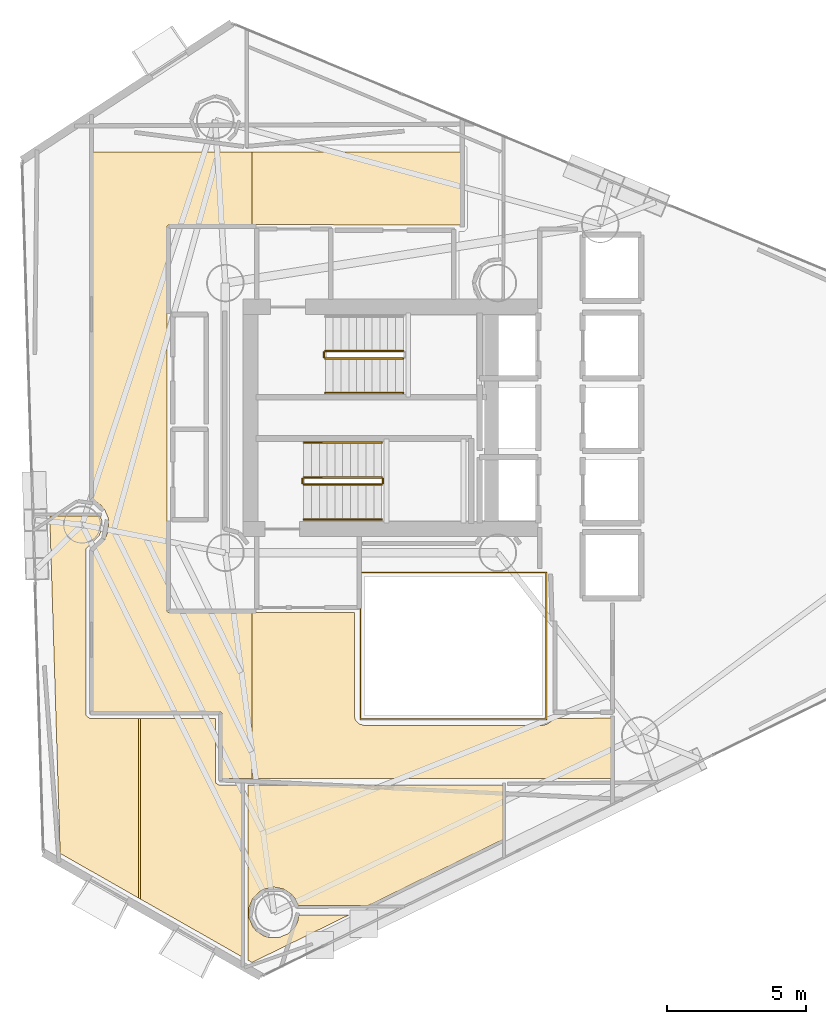
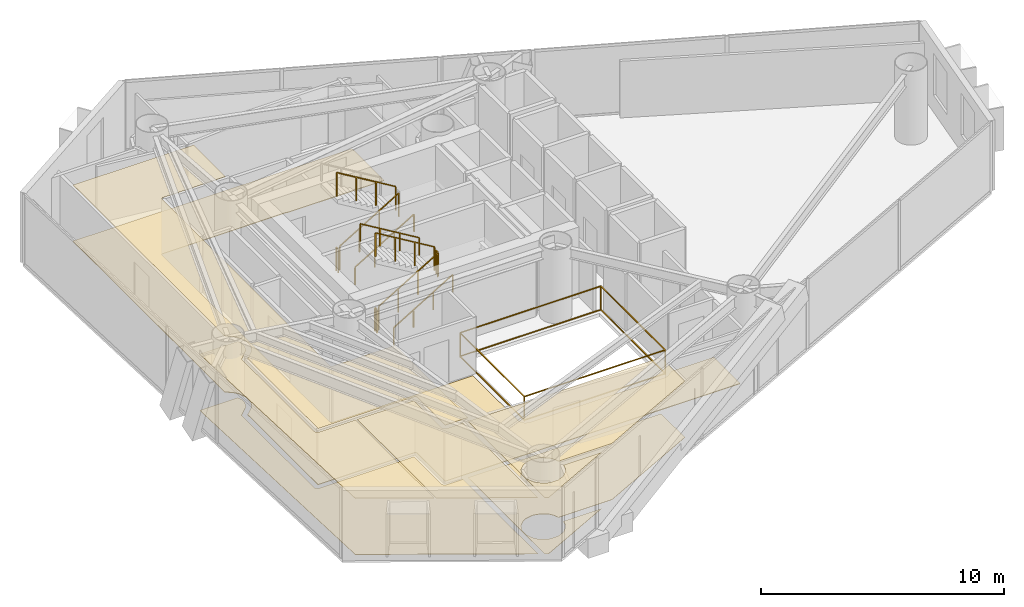
# One storey, part 21 of 22: 11 railings, 7 coverings.
"""IFC4 building model written with IfcOpenShell, lengths in metres."""

from ifc_helpers import new_model, si_unit, direction, frame, origin, origin_2d, place, context, subcontext, project, spatial, polyline, rectangle, outline, extrude, material, layer, layer_set, type_object, element, save


model = new_model("IFC4")

# Units and contexts
model_context = context("Model", 3, precision=1e-05, world=origin(), true_north=direction((0.0, 1.0)))
body_context = subcontext(model_context, "Body", "Model", "MODEL_VIEW")
ifc_project = project(units=[si_unit("LENGTHUNIT", "METRE"), si_unit("AREAUNIT", "SQUARE_METRE"), si_unit("VOLUMEUNIT", "CUBIC_METRE"), si_unit("PLANEANGLEUNIT", "RADIAN"), si_unit("MASSUNIT", "GRAM", prefix="KILO")], contexts=[model_context])

# Site, building, storey
site_placement = place(None, origin())
site = spatial("IfcSite", under=ifc_project, at=site_placement, CompositionType="ELEMENT")
building_placement = place(site_placement, origin())
building = spatial("IfcBuilding", under=site, at=building_placement, Name="Qianvela Tower", CompositionType="ELEMENT")
storey_placement = place(building_placement, frame((0.0, 0.0, 155.0)))
storey = spatial("IfcBuildingStorey", under=building, at=storey_placement, Name="L39", CompositionType="ELEMENT", Elevation=155.0)

# Coverings
ifc_material_1 = material(Name="Perforated Mineral Acoustic Ceiling Tile")
ifc_layer_1 = layer(ifc_material_1, 0.02490234375)
ifc_layer_set_1 = layer_set([ifc_layer_1], Name="Perforated Mineral Acoustic Ceiling Tile")
covering_type_1 = type_object("IfcCoveringType", Name="COV-CEIL-ACOUSTIC-25", PredefinedType="CEILING", material=ifc_layer_set_1)
covering_1_placement = place(storey_placement, frame((0.0, 0.0, 2.81494140625)))
element("IfcCovering", 1, at=covering_1_placement, inside=storey, type_object=covering_type_1, Name="L39 Acoustic Ceiling Bay 1 L39 Floor Corridor", PredefinedType="CEILING", context=body_context, shape_type="SweptSolid", body=[
    extrude(outline(polyline([(24.4033203125, 25.04150390625), (24.40234375, 25.04931640625), (24.400390625, 25.056884765625), (24.397705078125, 25.064208984375), (24.26416015625, 25.386962890625), (24.2607421875, 25.393798828125), (24.256591796875, 25.400634765625), (24.251953125, 25.406982421875), (24.140625, 25.54248046875), (24.135498046875, 25.54833984375), (24.129638671875, 25.5537109375), (23.830078125, 25.799560546875), (23.830078125, 38.27001953125), (29.55615234375, 38.27001953125), (29.55615234375, 35.651123046875), (26.57958984375, 35.639892578125), (26.572021484375, 35.6396484375), (26.564208984375, 35.638427734375), (26.556396484375, 35.636474609375), (26.54931640625, 35.6337890625), (26.5419921875, 35.630615234375), (26.535400390625, 35.62646484375), (26.529052734375, 35.62158203125), (26.523193359375, 35.616455078125), (26.51806640625, 35.610595703125), (26.513427734375, 35.6044921875), (26.509521484375, 35.59765625), (26.506103515625, 35.590576171875), (26.50341796875, 35.583251953125), (26.50146484375, 35.57568359375), (26.50048828125, 35.56787109375), (26.5, 35.56005859375), (26.5, 21.780029296875), (26.50048828125, 21.772216796875), (26.50146484375, 21.764404296875), (26.50341796875, 21.7568359375), (26.506103515625, 21.74951171875), (26.509521484375, 21.7421875), (26.513427734375, 21.735595703125), (26.518310546875, 21.729248046875), (26.5234375, 21.723388671875), (26.529296875, 21.71826171875), (26.53564453125, 21.71337890625), (26.542236328125, 21.70947265625), (26.54931640625, 21.7060546875), (26.556884765625, 21.703369140625), (26.564453125, 21.701416015625), (26.572265625, 21.700439453125), (26.580078125, 21.699951171875), (29.55615234375, 21.699951171875), (29.55615234375, 15.72998046875), (28.47998046875, 15.72998046875), (28.47998046875, 18.050048828125), (28.4794921875, 18.057861328125), (28.478515625, 18.065673828125), (28.4765625, 18.0732421875), (28.473876953125, 18.08056640625), (28.470703125, 18.087646484375), (28.466552734375, 18.094482421875), (28.4619140625, 18.100830078125), (28.45654296875, 18.106689453125), (28.45068359375, 18.11181640625), (28.4443359375, 18.116455078125), (28.437744140625, 18.12060546875), (28.4306640625, 18.123779296875), (28.423095703125, 18.126708984375), (28.41552734375, 18.12841796875), (28.40771484375, 18.129638671875), (28.39990234375, 18.1298828125), (23.830078125, 18.1298828125), (23.830078125, 23.921142578125), (24.244384765625, 24.302978515625), (24.25048828125, 24.30908203125), (24.255859375, 24.31591796875), (24.26025390625, 24.3232421875), (24.26416015625, 24.3310546875), (24.397705078125, 24.65380859375), (24.400390625, 24.6611328125), (24.40234375, 24.668701171875), (24.4033203125, 24.676513671875), (24.40380859375, 24.684326171875), (24.40380859375, 25.03369140625), (24.4033203125, 25.04150390625)])), origin(), (0.0, 0.0, 1.0), 0.025146484375),
])
covering_2_placement = place(storey_placement, frame((0.0, 0.0, 2.81494140625)))
element("IfcCovering", 2, at=covering_2_placement, inside=storey, type_object=covering_type_1, Name="L39 Acoustic Ceiling Bay 1 Maker Craft Workshop L39-01", PredefinedType="CEILING", context=body_context, shape_type="SweptSolid", body=[
    extrude(outline(polyline([(24.0908203125, 25.177978515625), (24.163818359375, 25.001708984375), (24.163818359375, 24.71630859375), (24.055419921875, 24.454345703125), (23.614501953125, 24.021484375), (23.60888671875, 24.015869140625), (23.604248046875, 24.009521484375), (23.60009765625, 24.002685546875), (23.5966796875, 23.995361328125), (23.593994140625, 23.988037109375), (23.592041015625, 23.980224609375), (23.5908203125, 23.972412109375), (23.59033203125, 23.964599609375), (23.593505859375, 18.026611328125), (23.593994140625, 18.0185546875), (23.59521484375, 18.01025390625), (23.597412109375, 18.002197265625), (23.60009765625, 17.994384765625), (23.60400390625, 17.987060546875), (23.6083984375, 17.980224609375), (23.613525390625, 17.9736328125), (23.619384765625, 17.9677734375), (23.625732421875, 17.96240234375), (23.702392578125, 17.90576171875), (23.70849609375, 17.901611328125), (23.71484375, 17.898193359375), (23.721435546875, 17.895263671875), (23.728515625, 17.89306640625), (23.735595703125, 17.891357421875), (23.74267578125, 17.890380859375), (23.75, 17.889892578125), (25.469482421875, 17.889892578125), (25.469482421875, 11.437255859375), (22.657470703125, 13.03662109375), (22.2841796875, 25.177978515625), (24.0908203125, 25.177978515625)])), origin(), (0.0, 0.0, 1.0), 0.025146484375),
])
covering_3_placement = place(storey_placement, frame((0.0, 0.0, 2.81494140625)))
element("IfcCovering", 3, at=covering_3_placement, inside=storey, type_object=covering_type_1, Name="L39 Acoustic Ceiling Bay 2 Maker Craft Workshop L39-01", PredefinedType="CEILING", context=body_context, shape_type="SweptSolid", body=[
    extrude(outline(polyline([(28.240234375, 17.889892578125), (28.24609375, 15.619140625), (28.24658203125, 15.61083984375), (28.247802734375, 15.602783203125), (28.25, 15.5947265625), (28.2529296875, 15.587158203125), (28.256591796875, 15.57958984375), (28.260986328125, 15.57275390625), (28.266357421875, 15.56640625), (28.272216796875, 15.560302734375), (28.2783203125, 15.55517578125), (28.344482421875, 15.506103515625), (28.3515625, 15.50146484375), (28.359130859375, 15.49755859375), (28.366943359375, 15.494384765625), (28.375244140625, 15.4921875), (28.383544921875, 15.49072265625), (28.39208984375, 15.490478515625), (29.177978515625, 15.489990234375), (29.177978515625, 9.328369140625), (25.54931640625, 11.391845703125), (25.54931640625, 17.889892578125), (28.240234375, 17.889892578125)])), origin(), (0.0, 0.0, 1.0), 0.025146484375),
])
covering_4_placement = place(storey_placement, frame((0.0, 0.0, 2.81494140625)))
element("IfcCovering", 4, at=covering_4_placement, inside=storey, type_object=covering_type_1, Name="L39 Acoustic Ceiling Student Reading Library L39-02", PredefinedType="CEILING", context=body_context, shape_type="SweptSolid", body=[
    extrude(outline(polyline([(38.577880859375, 13.535400390625), (33.75048828125, 11.1689453125), (31.2158203125, 11.16259765625), (31.114990234375, 11.40380859375), (31.11181640625, 11.410888671875), (31.107666015625, 11.41748046875), (31.10302734375, 11.423583984375), (30.999267578125, 11.55029296875), (30.993896484375, 11.555908203125), (30.98828125, 11.561279296875), (30.98193359375, 11.56591796875), (30.7109375, 11.7470703125), (30.704345703125, 11.7509765625), (30.697265625, 11.75439453125), (30.689697265625, 11.757080078125), (30.68212890625, 11.7587890625), (30.362548828125, 11.822509765625), (30.354736328125, 11.823486328125), (30.346923828125, 11.823974609375), (30.339111328125, 11.823486328125), (30.331298828125, 11.822509765625), (30.011962890625, 11.7587890625), (30.004150390625, 11.757080078125), (29.996826171875, 11.75439453125), (29.98974609375, 11.7509765625), (29.845458984375, 11.673828125), (29.838623046875, 11.669921875), (29.832275390625, 11.6650390625), (29.826416015625, 11.659912109375), (29.59619140625, 11.429443359375), (29.5908203125, 11.423583984375), (29.586181640625, 11.417236328125), (29.582275390625, 11.41064453125), (29.578857421875, 11.403564453125), (29.4541015625, 11.1025390625), (29.451416015625, 11.09521484375), (29.44970703125, 11.08740234375), (29.448486328125, 11.07958984375), (29.447998046875, 11.072021484375), (29.447998046875, 10.74609375), (29.448486328125, 10.73828125), (29.44970703125, 10.73046875), (29.451416015625, 10.722900390625), (29.4541015625, 10.715576171875), (29.578857421875, 10.41455078125), (29.582275390625, 10.407470703125), (29.586181640625, 10.400634765625), (29.5908203125, 10.394287109375), (29.694580078125, 10.267822265625), (29.699951171875, 10.261962890625), (29.705810546875, 10.256591796875), (29.712158203125, 10.251953125), (29.98291015625, 10.071044921875), (29.98974609375, 10.06689453125), (29.996826171875, 10.063720703125), (30.004150390625, 10.06103515625), (30.160888671875, 10.013427734375), (30.16845703125, 10.01171875), (30.17626953125, 10.010498046875), (30.18408203125, 10.010009765625), (30.510009765625, 10.010009765625), (30.517578125, 10.010498046875), (30.525390625, 10.01171875), (30.533203125, 10.013427734375), (30.54052734375, 10.01611328125), (30.841552734375, 10.140869140625), (30.8486328125, 10.144287109375), (30.855224609375, 10.148193359375), (30.86181640625, 10.15283203125), (30.867431640625, 10.158203125), (31.097900390625, 10.388427734375), (31.10302734375, 10.394287109375), (31.10791015625, 10.400634765625), (31.11181640625, 10.407470703125), (31.18896484375, 10.5517578125), (31.1923828125, 10.558837890625), (31.195068359375, 10.566162109375), (31.197021484375, 10.57373046875), (31.246826171875, 10.82275390625), (33.053466796875, 10.8271484375), (29.556396484375, 9.113037109375), (29.422119140625, 9.189453125), (29.422119140625, 15.489990234375), (38.577880859375, 15.489990234375), (38.577880859375, 13.535400390625)])), origin(), (0.0, 0.0, 1.0), 0.025146484375),
])
ifc_material_2 = material(Name="Engineered Acoustic Oak Timber Flooring", Category="wood")
ifc_layer_2 = layer(ifc_material_2, 0.02001953125)
ifc_layer_set_2 = layer_set([ifc_layer_2], Name="Engineered Acoustic Oak Timber Flooring")
covering_type_2 = type_object("IfcCoveringType", Name="COV-FLOOR-OAK-20", PredefinedType="FLOORING", material=ifc_layer_set_2)
covering_5_placement = place(storey_placement, origin())
element("IfcCovering", 5, at=covering_5_placement, inside=storey, type_object=covering_type_2, Name="L39 Finish Flooring Maker Craft Workshop L39-01", PredefinedType="FLOORING", context=body_context, shape_type="SweptSolid", body=[
    extrude(outline(polyline([(22.2841796875, 25.177978515625), (24.0908203125, 25.177978515625), (24.163818359375, 25.001708984375), (24.163818359375, 24.71630859375), (24.055419921875, 24.454345703125), (23.614501953125, 24.021484375), (23.60888671875, 24.015869140625), (23.604248046875, 24.009521484375), (23.60009765625, 24.002685546875), (23.5966796875, 23.995361328125), (23.593994140625, 23.988037109375), (23.592041015625, 23.980224609375), (23.5908203125, 23.972412109375), (23.59033203125, 23.964599609375), (23.593505859375, 18.026611328125), (23.593994140625, 18.0185546875), (23.59521484375, 18.01025390625), (23.597412109375, 18.002197265625), (23.60009765625, 17.994384765625), (23.60400390625, 17.987060546875), (23.6083984375, 17.980224609375), (23.613525390625, 17.9736328125), (23.619384765625, 17.9677734375), (23.625732421875, 17.96240234375), (23.702392578125, 17.90576171875), (23.70849609375, 17.901611328125), (23.71484375, 17.898193359375), (23.721435546875, 17.895263671875), (23.728515625, 17.89306640625), (23.735595703125, 17.891357421875), (23.74267578125, 17.890380859375), (23.75, 17.889892578125), (28.240234375, 17.889892578125), (28.24609375, 15.619140625), (28.24658203125, 15.61083984375), (28.247802734375, 15.602783203125), (28.25, 15.5947265625), (28.2529296875, 15.587158203125), (28.256591796875, 15.57958984375), (28.260986328125, 15.57275390625), (28.266357421875, 15.56640625), (28.272216796875, 15.560302734375), (28.2783203125, 15.55517578125), (28.344482421875, 15.506103515625), (28.3515625, 15.50146484375), (28.359130859375, 15.49755859375), (28.366943359375, 15.494384765625), (28.375244140625, 15.4921875), (28.383544921875, 15.49072265625), (28.39208984375, 15.490478515625), (29.177978515625, 15.489990234375), (29.177978515625, 9.328369140625), (22.657470703125, 13.03662109375), (22.2841796875, 25.177978515625)])), origin(), (0.0, 0.0, 1.0), 0.02001953125),
])
covering_6_placement = place(storey_placement, origin())
element("IfcCovering", 6, at=covering_6_placement, inside=storey, type_object=covering_type_2, Name="L39 Finish Flooring Student Reading Library L39-02", PredefinedType="FLOORING", context=body_context, shape_type="SweptSolid", body=[
    extrude(outline(polyline([(38.577880859375, 13.535400390625), (33.75048828125, 11.1689453125), (31.2158203125, 11.16259765625), (31.114990234375, 11.40380859375), (31.11181640625, 11.410888671875), (31.107666015625, 11.41748046875), (31.10302734375, 11.423583984375), (30.999267578125, 11.55029296875), (30.993896484375, 11.555908203125), (30.98828125, 11.561279296875), (30.98193359375, 11.56591796875), (30.7109375, 11.7470703125), (30.704345703125, 11.7509765625), (30.697265625, 11.75439453125), (30.689697265625, 11.757080078125), (30.68212890625, 11.7587890625), (30.362548828125, 11.822509765625), (30.354736328125, 11.823486328125), (30.346923828125, 11.823974609375), (30.339111328125, 11.823486328125), (30.331298828125, 11.822509765625), (30.011962890625, 11.7587890625), (30.004150390625, 11.757080078125), (29.996826171875, 11.75439453125), (29.98974609375, 11.7509765625), (29.845458984375, 11.673828125), (29.838623046875, 11.669921875), (29.832275390625, 11.6650390625), (29.826416015625, 11.659912109375), (29.59619140625, 11.429443359375), (29.5908203125, 11.423583984375), (29.586181640625, 11.417236328125), (29.582275390625, 11.41064453125), (29.578857421875, 11.403564453125), (29.4541015625, 11.1025390625), (29.451416015625, 11.09521484375), (29.44970703125, 11.08740234375), (29.448486328125, 11.07958984375), (29.447998046875, 11.072021484375), (29.447998046875, 10.74609375), (29.448486328125, 10.73828125), (29.44970703125, 10.73046875), (29.451416015625, 10.722900390625), (29.4541015625, 10.715576171875), (29.578857421875, 10.41455078125), (29.582275390625, 10.407470703125), (29.586181640625, 10.400634765625), (29.5908203125, 10.394287109375), (29.694580078125, 10.267822265625), (29.699951171875, 10.261962890625), (29.705810546875, 10.256591796875), (29.712158203125, 10.251953125), (29.98291015625, 10.071044921875), (29.98974609375, 10.06689453125), (29.996826171875, 10.063720703125), (30.004150390625, 10.06103515625), (30.160888671875, 10.013427734375), (30.16845703125, 10.01171875), (30.17626953125, 10.010498046875), (30.18408203125, 10.010009765625), (30.510009765625, 10.010009765625), (30.517578125, 10.010498046875), (30.525390625, 10.01171875), (30.533203125, 10.013427734375), (30.54052734375, 10.01611328125), (30.841552734375, 10.140869140625), (30.8486328125, 10.144287109375), (30.855224609375, 10.148193359375), (30.86181640625, 10.15283203125), (30.867431640625, 10.158203125), (31.097900390625, 10.388427734375), (31.10302734375, 10.394287109375), (31.10791015625, 10.400634765625), (31.11181640625, 10.407470703125), (31.18896484375, 10.5517578125), (31.1923828125, 10.558837890625), (31.195068359375, 10.566162109375), (31.197021484375, 10.57373046875), (31.246826171875, 10.82275390625), (33.053466796875, 10.8271484375), (29.556396484375, 9.113037109375), (29.422119140625, 9.189453125), (29.422119140625, 15.489990234375), (38.577880859375, 15.489990234375), (38.577880859375, 13.535400390625)])), origin(), (0.0, 0.0, 1.0), 0.02001953125),
])
ifc_material_3 = material(Name="Honed Stone Terrazzo Flooring", Category="masonry")
ifc_layer_3 = layer(ifc_material_3, 0.030029296875)
ifc_layer_set_3 = layer_set([ifc_layer_3], Name="Honed Stone Terrazzo Flooring")
covering_type_3 = type_object("IfcCoveringType", Name="COV-FLOOR-TERRAZZO-30", PredefinedType="FLOORING", material=ifc_layer_set_3)
covering_7_placement = place(storey_placement, origin())
element("IfcCovering", 7, at=covering_7_placement, inside=storey, type_object=covering_type_3, Name="L39 Finish Flooring L39 Floor Corridor", PredefinedType="FLOORING", context=body_context, shape_type="SweptSolid", body=[
    extrude(outline(polyline([(24.40380859375, 25.03369140625), (24.4033203125, 25.04150390625), (24.40234375, 25.04931640625), (24.400390625, 25.056884765625), (24.397705078125, 25.064208984375), (24.26416015625, 25.386962890625), (24.2607421875, 25.393798828125), (24.256591796875, 25.400634765625), (24.251953125, 25.406982421875), (24.140625, 25.54248046875), (24.135498046875, 25.54833984375), (24.129638671875, 25.5537109375), (23.830078125, 25.799560546875), (23.830078125, 38.27001953125), (37.070068359375, 38.27001953125), (37.070068359375, 35.639892578125), (32.5244140625, 35.639892578125), (32.43798828125, 35.659912109375), (32.428955078125, 35.66162109375), (32.419677734375, 35.662109375), (26.57958984375, 35.639892578125), (26.572021484375, 35.6396484375), (26.564208984375, 35.638427734375), (26.556396484375, 35.636474609375), (26.54931640625, 35.6337890625), (26.5419921875, 35.630615234375), (26.535400390625, 35.62646484375), (26.529052734375, 35.62158203125), (26.523193359375, 35.616455078125), (26.51806640625, 35.610595703125), (26.513427734375, 35.6044921875), (26.509521484375, 35.59765625), (26.506103515625, 35.590576171875), (26.50341796875, 35.583251953125), (26.50146484375, 35.57568359375), (26.50048828125, 35.56787109375), (26.5, 35.56005859375), (26.5, 21.780029296875), (26.50048828125, 21.772216796875), (26.50146484375, 21.764404296875), (26.50341796875, 21.7568359375), (26.506103515625, 21.74951171875), (26.509521484375, 21.7421875), (26.513427734375, 21.735595703125), (26.518310546875, 21.729248046875), (26.5234375, 21.723388671875), (26.529296875, 21.71826171875), (26.53564453125, 21.71337890625), (26.542236328125, 21.70947265625), (26.54931640625, 21.7060546875), (26.556884765625, 21.703369140625), (26.564453125, 21.701416015625), (26.572265625, 21.700439453125), (26.580078125, 21.699951171875), (33.239990234375, 21.699951171875), (33.239990234375, 18.0), (33.240478515625, 17.990234375), (33.242431640625, 17.980712890625), (33.275390625, 17.8486328125), (33.277587890625, 17.841064453125), (33.28076171875, 17.833740234375), (33.284423828125, 17.826904296875), (33.288818359375, 17.8203125), (33.293701171875, 17.814208984375), (33.38525390625, 17.71337890625), (33.391357421875, 17.70751953125), (33.398193359375, 17.701904296875), (33.405517578125, 17.697509765625), (33.4130859375, 17.693603515625), (33.421142578125, 17.690673828125), (33.576904296875, 17.643310546875), (33.58447265625, 17.6416015625), (33.59228515625, 17.640380859375), (33.60009765625, 17.639892578125), (40.0, 17.639892578125), (40.006591796875, 17.640380859375), (40.012939453125, 17.64111328125), (40.019287109375, 17.642333984375), (40.1513671875, 17.675537109375), (40.15869140625, 17.677734375), (40.166015625, 17.6806640625), (40.172607421875, 17.68408203125), (40.17919921875, 17.6884765625), (40.45947265625, 17.89306640625), (42.469970703125, 17.899658203125), (42.469970703125, 15.72998046875), (28.47998046875, 15.72998046875), (28.47998046875, 18.050048828125), (28.4794921875, 18.057861328125), (28.478515625, 18.065673828125), (28.4765625, 18.0732421875), (28.473876953125, 18.08056640625), (28.470703125, 18.087646484375), (28.466552734375, 18.094482421875), (28.4619140625, 18.100830078125), (28.45654296875, 18.106689453125), (28.45068359375, 18.11181640625), (28.4443359375, 18.116455078125), (28.437744140625, 18.12060546875), (28.4306640625, 18.123779296875), (28.423095703125, 18.126708984375), (28.41552734375, 18.12841796875), (28.40771484375, 18.129638671875), (28.39990234375, 18.1298828125), (23.830078125, 18.1298828125), (23.830078125, 23.921142578125), (24.244384765625, 24.302978515625), (24.25048828125, 24.30908203125), (24.255859375, 24.31591796875), (24.26025390625, 24.3232421875), (24.26416015625, 24.3310546875), (24.397705078125, 24.65380859375), (24.400390625, 24.6611328125), (24.40234375, 24.668701171875), (24.4033203125, 24.676513671875), (24.40380859375, 24.684326171875), (24.40380859375, 25.03369140625)])), origin(), (0.0, 0.0, 1.0), 0.030029296875),
])

# Railings
ifc_material_4 = material(Name="Laminated Safety Glass and Stainless Steel 316", Category="steel")
railing_type_1 = type_object("IfcRailingType", Name="RL-ATRIUM-GUARD-1250", PredefinedType="GUARDRAIL", material=ifc_material_4)
railing_1_placement = place(storey_placement, frame((33.4599609375, 17.860107421875, 0.0)))
element("IfcRailing", 8, at=railing_1_placement, inside=storey, type_object=railing_type_1, Name="L39 Atrium Edge Guardrail 1", PredefinedType="GUARDRAIL", context=body_context, shape_type="SweptSolid", body=[
    extrude(rectangle(XDim=0.050048828125, YDim=0.0400390625, at=origin_2d()), frame((0.0, 0.0, 1.22998046875), z_axis=(0.0, 1.0, 0.0), x_axis=(-1.0, 0.0, 0.0)), (0.0, 0.0, 1.0), 5.27978515625),
    extrude(rectangle(XDim=0.050048828125, YDim=0.0400390625, at=origin_2d()), frame((0.0, 0.0, 0.050048828125), z_axis=(0.0, 1.0, 0.0), x_axis=(-1.0, 0.0, 0.0)), (0.0, 0.0, 1.0), 5.27978515625),
    extrude(rectangle(XDim=0.050048828125, YDim=0.0400390625, at=origin_2d()), frame((0.0, 5.27978515625, 1.22998046875), z_axis=(1.0, 0.0, 0.0), x_axis=(0.0, 1.0, 0.0)), (0.0, 0.0, 1.0), 6.679931640625),
    extrude(rectangle(XDim=0.050048828125, YDim=0.0400390625, at=origin_2d()), frame((0.0, 5.27978515625, 0.050048828125), z_axis=(1.0, 0.0, 0.0), x_axis=(0.0, 1.0, 0.0)), (0.0, 0.0, 1.0), 6.679931640625),
    extrude(rectangle(XDim=0.050048828125, YDim=0.0400390625, at=origin_2d()), frame((6.679931640625, 5.27978515625, 1.22998046875), z_axis=(0.0, -1.0, 0.0), x_axis=(1.0, 0.0, 0.0)), (0.0, 0.0, 1.0), 5.27978515625),
    extrude(rectangle(XDim=0.050048828125, YDim=0.0400390625, at=origin_2d()), frame((6.679931640625, 5.27978515625, 0.050048828125), z_axis=(0.0, -1.0, 0.0), x_axis=(1.0, 0.0, 0.0)), (0.0, 0.0, 1.0), 5.27978515625),
    extrude(rectangle(XDim=0.050048828125, YDim=0.0400390625, at=origin_2d()), frame((6.679931640625, 0.0, 1.22998046875), z_axis=(-1.0, 0.0, 0.0), x_axis=(0.0, -1.0, 0.0)), (0.0, 0.0, 1.0), 6.679931640625),
    extrude(rectangle(XDim=0.050048828125, YDim=0.0400390625, at=origin_2d()), frame((6.679931640625, 0.0, 0.050048828125), z_axis=(-1.0, 0.0, 0.0), x_axis=(0.0, -1.0, 0.0)), (0.0, 0.0, 1.0), 6.679931640625),
    extrude(rectangle(XDim=0.050048828125, YDim=0.050048828125, at=origin_2d()), origin(), (0.0, 0.0, 1.0), 1.2099609375),
    extrude(rectangle(XDim=0.050048828125, YDim=0.050048828125, at=origin_2d()), frame((0.0, 5.27978515625, 0.0)), (0.0, 0.0, 1.0), 1.2099609375),
    extrude(rectangle(XDim=0.050048828125, YDim=0.050048828125, at=origin_2d()), frame((6.679931640625, 5.27978515625, 0.0)), (0.0, 0.0, 1.0), 1.2099609375),
    extrude(rectangle(XDim=0.050048828125, YDim=0.050048828125, at=origin_2d()), frame((6.679931640625, 0.0, 0.0)), (0.0, 0.0, 1.0), 1.2099609375),
])
ifc_material_5 = material(Name="Painted Tubular Steel Q355B", Category="steel")
railing_type_2 = type_object("IfcRailingType", Name="RL-STAIR-GUARD-1200", PredefinedType="GUARDRAIL", material=ifc_material_5)
railing_2_placement = place(storey_placement, frame((32.199951171875, 30.840087890625, 0.168212890625)))
element("IfcRailing", 9, at=railing_2_placement, inside=storey, type_object=railing_type_2, Name="L39 ST-1 stair guard 1", PredefinedType="GUARDRAIL", context=body_context, shape_type="SweptSolid", body=[
    extrude(rectangle(XDim=0.050048828125, YDim=0.0400390625, at=origin_2d()), frame((0.0, 0.0, 1.179931640625), z_axis=(0.857242210791, 0.0, 0.514913383045), x_axis=(0.0, 1.0, 0.0)), (0.0, 0.0, 1.0), 3.266357421875),
    extrude(rectangle(XDim=0.050048828125, YDim=0.050048828125, at=origin_2d()), origin(), (0.0, 0.0, 1.0), 1.159912109375),
    extrude(rectangle(XDim=0.050048828125, YDim=0.050048828125, at=origin_2d()), frame((0.933349609375, 0.0, 0.560546875)), (0.0, 0.0, 1.0), 1.159912109375),
    extrude(rectangle(XDim=0.050048828125, YDim=0.050048828125, at=origin_2d()), frame((1.86669921875, 0.0, 1.121337890625)), (0.0, 0.0, 1.0), 1.159912109375),
    extrude(rectangle(XDim=0.050048828125, YDim=0.050048828125, at=origin_2d()), frame((2.800048828125, 0.0, 1.681884765625)), (0.0, 0.0, 1.0), 1.159912109375),
])
railing_3_placement = place(storey_placement, frame((35.0, 31.10009765625, 2.01806640625)))
element("IfcRailing", 10, at=railing_3_placement, inside=storey, type_object=railing_type_2, Name="L39 ST-1 stair guard 3", PredefinedType="GUARDRAIL", context=body_context, shape_type="SweptSolid", body=[
    extrude(rectangle(XDim=0.050048828125, YDim=0.0400390625, at=origin_2d()), frame((0.0, 0.0, 1.179931640625), z_axis=(-0.857242210791, 0.0, 0.514913383045), x_axis=(0.0, -1.0, 0.0)), (0.0, 0.0, 1.0), 3.266357421875),
    extrude(rectangle(XDim=0.050048828125, YDim=0.050048828125, at=origin_2d()), origin(), (0.0, 0.0, 1.0), 1.159912109375),
    extrude(rectangle(XDim=0.050048828125, YDim=0.050048828125, at=origin_2d()), frame((-0.933349609375, 0.0, 0.560546875)), (0.0, 0.0, 1.0), 1.159912109375),
    extrude(rectangle(XDim=0.050048828125, YDim=0.050048828125, at=origin_2d()), frame((-1.86669921875, 0.0, 1.121337890625)), (0.0, 0.0, 1.0), 1.159912109375),
    extrude(rectangle(XDim=0.050048828125, YDim=0.050048828125, at=origin_2d()), frame((-2.800048828125, 0.0, 1.681884765625)), (0.0, 0.0, 1.0), 1.159912109375),
])
railing_4_placement = place(storey_placement, frame((32.14990234375, 30.889892578125, 0.0)))
element("IfcRailing", 11, at=railing_4_placement, inside=storey, type_object=railing_type_2, Name="L39 ST-1 stair guard 4", PredefinedType="GUARDRAIL", context=body_context, shape_type="SweptSolid", body=[
    extrude(rectangle(XDim=0.050048828125, YDim=0.0400390625, at=origin_2d()), frame((0.0, 0.0, 1.179931640625), z_axis=(0.0, 1.0, 0.0), x_axis=(-1.0, 0.0, 0.0)), (0.0, 0.0, 1.0), 0.16015625),
    extrude(rectangle(XDim=0.050048828125, YDim=0.050048828125, at=origin_2d()), origin(), (0.0, 0.0, 1.0), 1.159912109375),
    extrude(rectangle(XDim=0.050048828125, YDim=0.050048828125, at=origin_2d()), frame((0.0, 0.16015625, 0.0)), (0.0, 0.0, 1.0), 1.159912109375),
])
railing_5_placement = place(storey_placement, frame((31.419921875, 26.300048828125, 0.168212890625)))
element("IfcRailing", 12, at=railing_5_placement, inside=storey, type_object=railing_type_2, Name="L39 ST-2 stair guard 1", PredefinedType="GUARDRAIL", context=body_context, shape_type="SweptSolid", body=[
    extrude(rectangle(XDim=0.050048828125, YDim=0.0400390625, at=origin_2d()), frame((0.0, 0.0, 1.179931640625), z_axis=(0.857242210791, 0.0, 0.514913383045), x_axis=(0.0, 1.0, 0.0)), (0.0, 0.0, 1.0), 3.266357421875),
    extrude(rectangle(XDim=0.050048828125, YDim=0.050048828125, at=origin_2d()), origin(), (0.0, 0.0, 1.0), 1.159912109375),
    extrude(rectangle(XDim=0.050048828125, YDim=0.050048828125, at=origin_2d()), frame((0.933349609375, 0.0, 0.560546875)), (0.0, 0.0, 1.0), 1.159912109375),
    extrude(rectangle(XDim=0.050048828125, YDim=0.050048828125, at=origin_2d()), frame((1.86669921875, 0.0, 1.121337890625)), (0.0, 0.0, 1.0), 1.159912109375),
    extrude(rectangle(XDim=0.050048828125, YDim=0.050048828125, at=origin_2d()), frame((2.800048828125, 0.0, 1.681884765625)), (0.0, 0.0, 1.0), 1.159912109375),
])
railing_6_placement = place(storey_placement, frame((34.27001953125, 26.35009765625, 1.85009765625)))
element("IfcRailing", 13, at=railing_6_placement, inside=storey, type_object=railing_type_2, Name="L39 ST-2 stair guard 2", PredefinedType="GUARDRAIL", context=body_context, shape_type="SweptSolid", body=[
    extrude(rectangle(XDim=0.050048828125, YDim=0.0400390625, at=origin_2d()), frame((0.0, 0.0, 1.179931640625), z_axis=(0.0, 1.0, 0.0), x_axis=(-1.0, 0.0, 0.0)), (0.0, 0.0, 1.0), 0.159912109375),
    extrude(rectangle(XDim=0.050048828125, YDim=0.050048828125, at=origin_2d()), origin(), (0.0, 0.0, 1.0), 1.159912109375),
    extrude(rectangle(XDim=0.050048828125, YDim=0.050048828125, at=origin_2d()), frame((0.0, 0.159912109375, 0.0)), (0.0, 0.0, 1.0), 1.159912109375),
])
railing_7_placement = place(storey_placement, frame((34.219970703125, 26.56005859375, 2.01806640625)))
element("IfcRailing", 14, at=railing_7_placement, inside=storey, type_object=railing_type_2, Name="L39 ST-2 stair guard 3", PredefinedType="GUARDRAIL", context=body_context, shape_type="SweptSolid", body=[
    extrude(rectangle(XDim=0.050048828125, YDim=0.0400390625, at=origin_2d()), frame((0.0, 0.0, 1.179931640625), z_axis=(-0.857242210791, 0.0, 0.514913383045), x_axis=(0.0, -1.0, 0.0)), (0.0, 0.0, 1.0), 3.266357421875),
    extrude(rectangle(XDim=0.050048828125, YDim=0.050048828125, at=origin_2d()), origin(), (0.0, 0.0, 1.0), 1.159912109375),
    extrude(rectangle(XDim=0.050048828125, YDim=0.050048828125, at=origin_2d()), frame((-0.933349609375, 0.0, 0.560546875)), (0.0, 0.0, 1.0), 1.159912109375),
    extrude(rectangle(XDim=0.050048828125, YDim=0.050048828125, at=origin_2d()), frame((-1.86669921875, 0.0, 1.121337890625)), (0.0, 0.0, 1.0), 1.159912109375),
    extrude(rectangle(XDim=0.050048828125, YDim=0.050048828125, at=origin_2d()), frame((-2.800048828125, 0.0, 1.681884765625)), (0.0, 0.0, 1.0), 1.159912109375),
])
railing_8_placement = place(storey_placement, frame((31.3701171875, 26.35009765625, 0.0)))
element("IfcRailing", 15, at=railing_8_placement, inside=storey, type_object=railing_type_2, Name="L39 ST-2 stair guard 4", PredefinedType="GUARDRAIL", context=body_context, shape_type="SweptSolid", body=[
    extrude(rectangle(XDim=0.050048828125, YDim=0.0400390625, at=origin_2d()), frame((0.0, 0.0, 1.179931640625), z_axis=(0.0, 1.0, 0.0), x_axis=(-1.0, 0.0, 0.0)), (0.0, 0.0, 1.0), 0.159912109375),
    extrude(rectangle(XDim=0.050048828125, YDim=0.050048828125, at=origin_2d()), origin(), (0.0, 0.0, 1.0), 1.159912109375),
    extrude(rectangle(XDim=0.050048828125, YDim=0.050048828125, at=origin_2d()), frame((0.0, 0.159912109375, 0.0)), (0.0, 0.0, 1.0), 1.159912109375),
])
ifc_material_6 = material(Name="Brushed Stainless Steel 304", Category="steel")
railing_type_3 = type_object("IfcRailingType", Name="RL-STAIR-HANDRAIL-900", PredefinedType="HANDRAIL", material=ifc_material_6)
for number, where, name in (
    (16, (32.199951171875, 29.590087890625, 0.168212890625), "L39 ST-1 stair handrail 1"),
    (17, (31.419921875, 25.050048828125, 0.168212890625), "L39 ST-2 stair handrail 1"),
):
    element("IfcRailing", number, at=place(storey_placement, frame(where)), inside=storey, type_object=railing_type_3, Name=name, PredefinedType="HANDRAIL", context=body_context, shape_type="SweptSolid", body=[
        extrude(rectangle(XDim=0.050048828125, YDim=0.0400390625, at=origin_2d()), frame((0.0, 0.0, 0.8798828125), z_axis=(0.857242210791, 0.0, 0.514913383045), x_axis=(0.0, 1.0, 0.0)), (0.0, 0.0, 1.0), 3.266357421875),
        extrude(rectangle(XDim=0.050048828125, YDim=0.050048828125, at=origin_2d()), origin(), (0.0, 0.0, 1.0), 0.85986328125),
        extrude(rectangle(XDim=0.050048828125, YDim=0.050048828125, at=origin_2d()), frame((0.933349609375, 0.0, 0.560546875)), (0.0, 0.0, 1.0), 0.85986328125),
        extrude(rectangle(XDim=0.050048828125, YDim=0.050048828125, at=origin_2d()), frame((1.86669921875, 0.0, 1.121337890625)), (0.0, 0.0, 1.0), 0.85986328125),
        extrude(rectangle(XDim=0.050048828125, YDim=0.050048828125, at=origin_2d()), frame((2.800048828125, 0.0, 1.681884765625)), (0.0, 0.0, 1.0), 0.85986328125),
    ])
railing_9_placement = place(storey_placement, frame((34.219970703125, 27.81005859375, 2.01806640625)))
element("IfcRailing", 18, at=railing_9_placement, inside=storey, type_object=railing_type_3, Name="L39 ST-2 stair handrail 2", PredefinedType="HANDRAIL", context=body_context, shape_type="SweptSolid", body=[
    extrude(rectangle(XDim=0.050048828125, YDim=0.0400390625, at=origin_2d()), frame((0.0, 0.0, 0.8798828125), z_axis=(-0.857242210791, 0.0, 0.514913383045), x_axis=(0.0, -1.0, 0.0)), (0.0, 0.0, 1.0), 3.266357421875),
    extrude(rectangle(XDim=0.050048828125, YDim=0.050048828125, at=origin_2d()), origin(), (0.0, 0.0, 1.0), 0.85986328125),
    extrude(rectangle(XDim=0.050048828125, YDim=0.050048828125, at=origin_2d()), frame((-0.933349609375, 0.0, 0.560546875)), (0.0, 0.0, 1.0), 0.85986328125),
    extrude(rectangle(XDim=0.050048828125, YDim=0.050048828125, at=origin_2d()), frame((-1.86669921875, 0.0, 1.121337890625)), (0.0, 0.0, 1.0), 0.85986328125),
    extrude(rectangle(XDim=0.050048828125, YDim=0.050048828125, at=origin_2d()), frame((-2.800048828125, 0.0, 1.681884765625)), (0.0, 0.0, 1.0), 0.85986328125),
])

save(model, "model.ifc")
